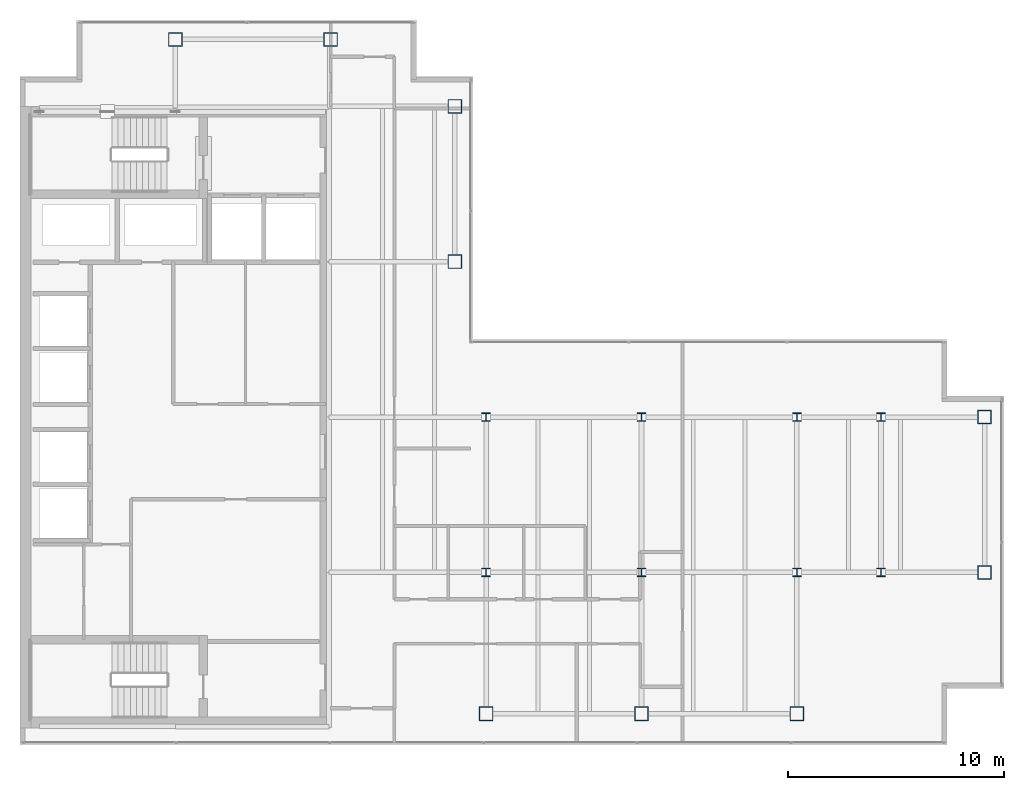
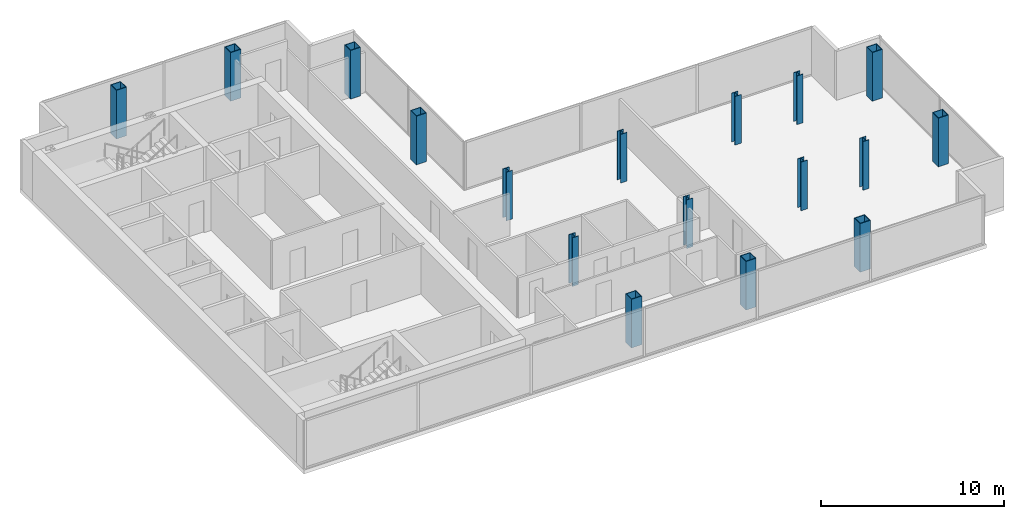
# One storey, part 1 of 23: 17 columns.
"""IFC4 building model written with IfcOpenShell, lengths in metres."""

from ifc_helpers import new_model, si_unit, direction, frame, origin, origin_2d, place, context, subcontext, project, spatial, hollow_rectangle, i_section, extrude, material, material_profile, profile_set, type_object, element, save


model = new_model("IFC4")

# Units and contexts
model_context = context("Model", 3, precision=1e-05, world=origin(), true_north=direction((0.0, 1.0)))
body_context = subcontext(model_context, "Body", "Model", "MODEL_VIEW")
ifc_project = project(units=[si_unit("LENGTHUNIT", "METRE"), si_unit("AREAUNIT", "SQUARE_METRE"), si_unit("VOLUMEUNIT", "CUBIC_METRE"), si_unit("PLANEANGLEUNIT", "RADIAN"), si_unit("MASSUNIT", "GRAM", prefix="KILO")], contexts=[model_context])

# Site, building, storey
site_placement = place(None, origin())
site = spatial("IfcSite", under=ifc_project, at=site_placement, CompositionType="ELEMENT")
building_placement = place(site_placement, origin())
building = spatial("IfcBuilding", under=site, at=building_placement, Name="Cobrela Telecom Tower", CompositionType="ELEMENT")
storey_placement = place(building_placement, frame((0.0, 0.0, 276.14990234375)))
storey = spatial("IfcBuildingStorey", under=building, at=storey_placement, Name="L72", CompositionType="ELEMENT", Elevation=276.14990234375)

# Columns
ifc_material_1 = material(Name="Steel ASTM A992 Grade 50", Category="steel")
ifc_material_profile_1 = material_profile(ifc_material_1, i_section(OverallWidth=0.39892578125, OverallDepth=0.39404296875, WebThickness=0.022705078125, FlangeThickness=0.03662109375, FilletRadius=0.01806640625, at=origin_2d()), Name="W14X193")
ifc_profile_set_1 = profile_set([ifc_material_profile_1], Name="Steel ASTM A992 Grade 50")
column_type_1 = type_object("IfcColumnType", Name="COL-INT-06", PredefinedType="COLUMN", material=ifc_profile_set_1)
for number, where, z_axis, x_axis, name in (
    (1, (21.60009765625, 14.39990234375, 0.0), (0.0, 0.0, 1.0), (1.0, 0.0, 0.0), "L72 Interior Column 06"),
    (2, (21.60009765625, 21.60009765625, 0.0), (0.0, 0.0, 1.0), (1.0, 0.0, 0.0), "L72 Interior Column 07"),
    (3, (28.800048828125, 14.39990234375, 0.0), (0.0, 0.0, 1.0), (1.0, 0.0, 0.0), "L72 Interior Column 09"),
    (4, (28.800048828125, 21.60009765625, 0.0), (0.0, 0.0, 1.0), (1.0, 0.0, 0.0), "L72 Interior Column 10"),
    (5, (36.0, 14.39990234375, 0.0), (0.0, 0.0, 1.0), (1.0, 0.0, 0.0), "L72 Interior Column 12"),
    (6, (36.0, 21.60009765625, 0.0), (0.0, 0.0, 1.0), (1.0, 0.0, 0.0), "L72 Interior Column 13"),
    (7, (39.89990234375, 14.39990234375, 0.0), (0.0, 0.0, 1.0), (1.0, 0.0, 0.0), "L72 Interior Column 14"),
    (8, (39.89990234375, 21.60009765625, 0.0), (0.0, 0.0, 1.0), (1.0, 0.0, 0.0), "L72 Interior Column 15"),
):
    element("IfcColumn", number, at=place(storey_placement, frame(where, z_axis=z_axis, x_axis=x_axis)), inside=storey, type_object=column_type_1, Name=name, PredefinedType="COLUMN", context=body_context, shape_type="SweptSolid", body=[
        extrude(i_section(OverallWidth=0.39892578125, OverallDepth=0.39404296875, WebThickness=0.022705078125, FlangeThickness=0.03662109375, FilletRadius=0.01806640625, at=origin_2d()), origin(), (0.0, 0.0, 1.0), 3.239990234375),
    ])
ifc_material_2 = material(Name="Steel ASTM A572 Grade 50", Category="steel")
ifc_material_profile_2 = material_profile(ifc_material_2, hollow_rectangle(XDim=0.64990234375, YDim=0.64990234375, WallThickness=0.0400390625, at=origin_2d()), Name="BOX 650x650x40")
ifc_profile_set_2 = profile_set([ifc_material_profile_2], Name="Steel ASTM A572 Grade 50")
column_type_2 = type_object("IfcColumnType", Name="COL-MEGA-09", PredefinedType="COLUMN", material=ifc_profile_set_2)
for number, where, z_axis, x_axis, name in (
    (9, (7.199951171875, 39.10009765625, 0.0), (0.0, 0.0, 1.0), (1.0, 0.0, 0.0), "L72 Perimeter Mega-Column 01"),
    (10, (14.39990234375, 39.10009765625, 0.0), (0.0, 0.0, 1.0), (1.0, 0.0, 0.0), "L72 Perimeter Mega-Column 02"),
    (11, (20.14990234375, 28.800048828125, 0.0), (0.0, 0.0, 1.0), (1.0, 0.0, 0.0), "L72 Perimeter Mega-Column 03"),
    (12, (20.14990234375, 36.0, 0.0), (0.0, 0.0, 1.0), (1.0, 0.0, 0.0), "L72 Perimeter Mega-Column 04"),
    (13, (21.60009765625, 7.85009765625, 0.0), (0.0, 0.0, 1.0), (1.0, 0.0, 0.0), "L72 Perimeter Mega-Column 05"),
    (14, (28.800048828125, 7.85009765625, 0.0), (0.0, 0.0, 1.0), (1.0, 0.0, 0.0), "L72 Perimeter Mega-Column 08"),
    (15, (36.0, 7.85009765625, 0.0), (0.0, 0.0, 1.0), (1.0, 0.0, 0.0), "L72 Perimeter Mega-Column 11"),
    (16, (44.699951171875, 14.39990234375, 0.0), (0.0, 0.0, 1.0), (1.0, 0.0, 0.0), "L72 Perimeter Mega-Column 16"),
    (17, (44.699951171875, 21.60009765625, 0.0), (0.0, 0.0, 1.0), (1.0, 0.0, 0.0), "L72 Perimeter Mega-Column 17"),
):
    element("IfcColumn", number, at=place(storey_placement, frame(where, z_axis=z_axis, x_axis=x_axis)), inside=storey, type_object=column_type_2, Name=name, PredefinedType="COLUMN", context=body_context, shape_type="SweptSolid", body=[
        extrude(hollow_rectangle(XDim=0.64990234375, YDim=0.64990234375, WallThickness=0.0400390625, at=origin_2d()), origin(), (0.0, 0.0, 1.0), 3.239990234375),
    ])

save(model, "model.ifc")
